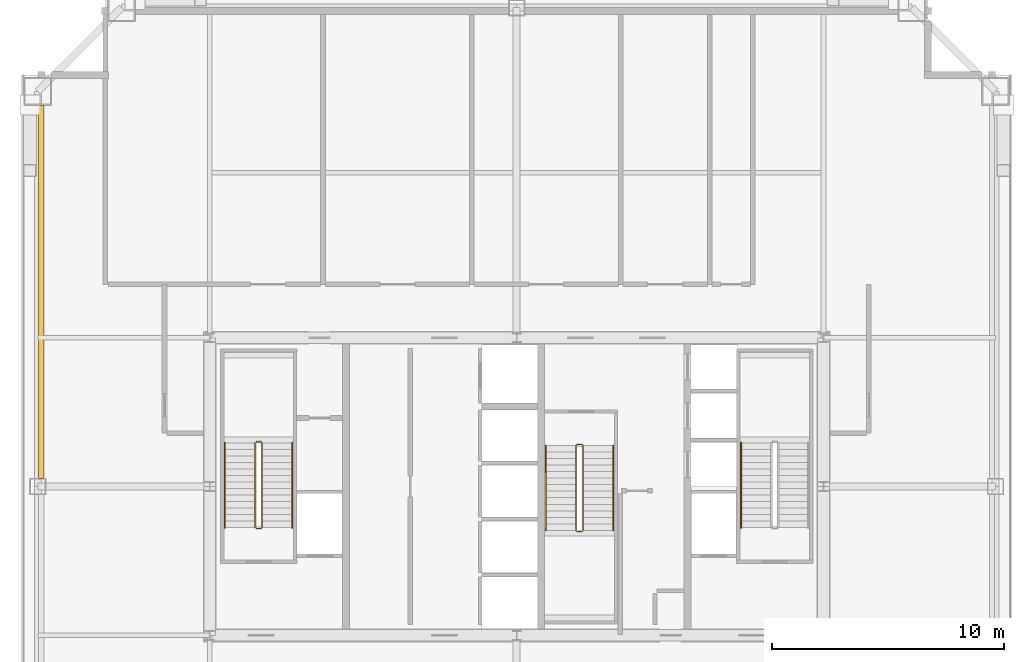
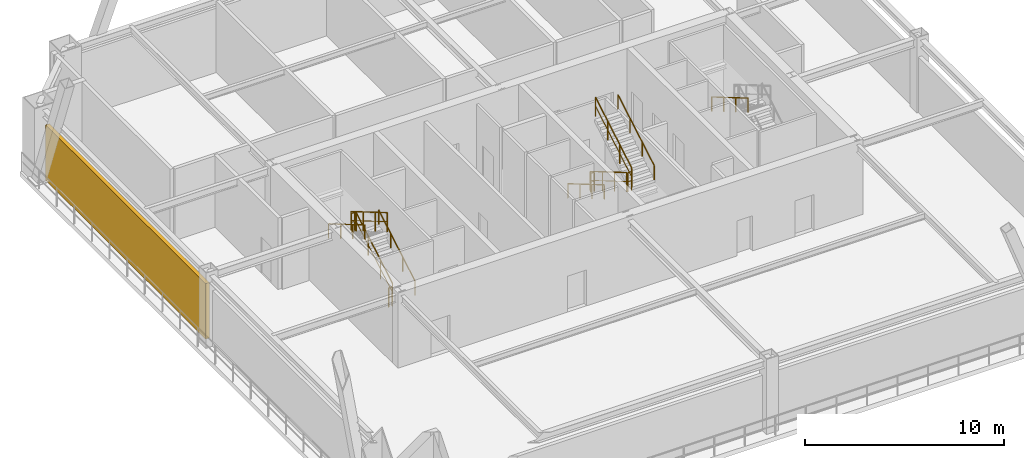
# One storey, part 7 of 8: 13 railings, 1 shading device.
"""IFC4 building model written with IfcOpenShell, lengths in metres."""

from ifc_helpers import new_model, si_unit, direction, frame, origin, origin_2d, place, context, subcontext, project, spatial, rectangle, extrude, source, transform, mapped, material, layer, layer_set, type_object, element, save


model = new_model("IFC4")

# Units and contexts
model_context = context("Model", 3, precision=1e-05, world=origin(), true_north=direction((0.0, 1.0)))
body_context = subcontext(model_context, "Body", "Model", "MODEL_VIEW")
ifc_project = project(units=[si_unit("LENGTHUNIT", "METRE"), si_unit("AREAUNIT", "SQUARE_METRE"), si_unit("VOLUMEUNIT", "CUBIC_METRE"), si_unit("PLANEANGLEUNIT", "RADIAN"), si_unit("MASSUNIT", "GRAM", prefix="KILO"), si_unit("THERMODYNAMICTEMPERATUREUNIT", "KELVIN"), si_unit("POWERUNIT", "WATT")], contexts=[model_context])

# Site, building, storey
site_placement = place(None, origin())
site = spatial("IfcSite", under=ifc_project, at=site_placement, CompositionType="ELEMENT")
building_placement = place(site_placement, origin())
building = spatial("IfcBuilding", under=site, at=building_placement, Name="Yuzanri Waterfront Tower", CompositionType="ELEMENT")
storey_placement = place(building_placement, frame((0.0, 0.0, 263.5)))
storey = spatial("IfcBuildingStorey", under=building, at=storey_placement, Name="L70", CompositionType="ELEMENT", Elevation=263.5)

# Shading device
ifc_material_1 = material(Name="Anodized Architectural Bronze", Category="metal")
ifc_layer_1 = layer(ifc_material_1, 0.219970703125)
ifc_layer_set_1 = layer_set([ifc_layer_1], Name="Anodized Architectural Bronze")
shading_device_type = type_object("IfcShadingDeviceType", Name="Anodized Bronze Refuge Wind-Diffusing Louvre Screen 220", PredefinedType="USERDEFINED", material=ifc_layer_set_1)
shared_shape_1 = source(origin(), body_context, "Body", "SweptSolid", [
    extrude(rectangle(XDim=0.219970703125, YDim=16.050048828125, at=origin_2d()), origin(), (0.0, 0.0, 1.0), 3.39990234375),
])
shading_device_placement = place(storey_placement, frame((16.550048828125, 34.175048828125, 0.0), z_axis=(0.0, 0.0, 1.0), x_axis=(1.0, 0.0, 0.0)))
element("IfcShadingDevice", 1, at=shading_device_placement, inside=storey, type_object=shading_device_type, Name="L70 Wind-Diffusing Refuge Louvre WR", ObjectType="LOUVRE", PredefinedType="USERDEFINED", context=body_context, shape_type="MappedRepresentation", body=[
    mapped(shared_shape_1, transform((0.0, 0.0, 0.0), scale=1.0)),
])

# Railings
ifc_material_2 = material(Name="Painted Galvanized Fire Steel", Category="steel")
ifc_layer_2 = layer(ifc_material_2, 0.06005859375)
ifc_layer_set_2 = layer_set([ifc_layer_2], Name="Painted Galvanized Fire Steel")
railing_type_1 = type_object("IfcRailingType", Name="Painted Steel Stairwell Guardrail 1120", PredefinedType="GUARDRAIL", material=ifc_layer_set_2)
shared_shape_2 = source(origin(), body_context, "Body", "SweptSolid", [
    extrude(rectangle(XDim=0.050048828125, YDim=0.050048828125, at=origin_2d()), frame((0.0, 0.0, 1.1748046875), z_axis=(-1.0, 0.0, 0.0), x_axis=(0.0, -1.0, 0.0)), (0.0, 0.0, 1.0), 0.199951171875),
    extrude(rectangle(XDim=0.035888671875, YDim=0.030029296875, at=origin_2d()), frame((0.0, 0.0, 0.6240234375), z_axis=(-1.0, 0.0, 0.0), x_axis=(0.0, -1.0, 0.0)), (0.0, 0.0, 1.0), 0.199951171875),
    extrude(rectangle(XDim=0.0458984375, YDim=0.0458984375, at=origin_2d()), origin(), (0.0, 0.0, 1.0), 1.14990234375),
    extrude(rectangle(XDim=0.0458984375, YDim=0.0458984375, at=origin_2d()), frame((-0.199951171875, 0.0, 0.0)), (0.0, 0.0, 1.0), 1.14990234375),
])
for number, where, name in (
    (2, (26.0, 27.72998046875, 2.300048828125), "L70 ST-01 stair guard 2"),
    (3, (26.0, 23.989990234375, 0.0), "L70 ST-01 stair guard 4"),
):
    element("IfcRailing", number, at=place(storey_placement, frame(where)), inside=storey, type_object=railing_type_1, Name=name, PredefinedType="GUARDRAIL", context=body_context, shape_type="MappedRepresentation", body=[
        mapped(shared_shape_2, transform((0.0, 0.0, 0.0), scale=1.0)),
    ])
shared_shape_3 = source(origin(), body_context, "Body", "SweptSolid", [
    extrude(rectangle(XDim=0.050048828125, YDim=0.050048828125, at=origin_2d()), frame((0.0, 0.0, 1.1748046875), z_axis=(0.0, 0.862489892076, 0.506074289079), x_axis=(-1.0, 0.0, 0.0)), (0.0, 0.0, 1.0), 4.22021484375),
    extrude(rectangle(XDim=0.035888671875, YDim=0.030029296875, at=origin_2d()), frame((0.0, 0.0, 0.6240234375), z_axis=(0.0, 0.862489892076, 0.506074289079), x_axis=(-1.0, 0.0, 0.0)), (0.0, 0.0, 1.0), 4.22021484375),
    extrude(rectangle(XDim=0.0458984375, YDim=0.0458984375, at=origin_2d()), origin(), (0.0, 0.0, 1.0), 1.14990234375),
    extrude(rectangle(XDim=0.0458984375, YDim=0.0458984375, at=origin_2d()), frame((0.0, 1.21337890625, 0.7119140625)), (0.0, 0.0, 1.0), 1.14990234375),
    extrude(rectangle(XDim=0.0458984375, YDim=0.0458984375, at=origin_2d()), frame((0.0, 2.426513671875, 1.423828125)), (0.0, 0.0, 1.0), 1.14990234375),
    extrude(rectangle(XDim=0.0458984375, YDim=0.0458984375, at=origin_2d()), frame((0.0, 3.639892578125, 2.1357421875)), (0.0, 0.0, 1.0), 1.14990234375),
])
railing_1_placement = place(storey_placement, frame((26.050048828125, 24.0400390625, 0.164306640625)))
element("IfcRailing", 4, at=railing_1_placement, inside=storey, type_object=railing_type_1, Name="L70 ST-01 stair guard 1", PredefinedType="GUARDRAIL", context=body_context, shape_type="MappedRepresentation", body=[
    mapped(shared_shape_3, transform((0.0, 0.0, 0.0), scale=1.0)),
])
shared_shape_4 = source(origin(), body_context, "Body", "SweptSolid", [
    extrude(rectangle(XDim=0.050048828125, YDim=0.050048828125, at=origin_2d()), frame((0.0, 0.0, 1.1748046875), z_axis=(0.0, -0.862489892076, 0.506074289079), x_axis=(1.0, 0.0, 0.0)), (0.0, 0.0, 1.0), 4.22021484375),
    extrude(rectangle(XDim=0.035888671875, YDim=0.030029296875, at=origin_2d()), frame((0.0, 0.0, 0.6240234375), z_axis=(0.0, -0.862489892076, 0.506074289079), x_axis=(1.0, 0.0, 0.0)), (0.0, 0.0, 1.0), 4.22021484375),
    extrude(rectangle(XDim=0.0458984375, YDim=0.0458984375, at=origin_2d()), origin(), (0.0, 0.0, 1.0), 1.14990234375),
    extrude(rectangle(XDim=0.0458984375, YDim=0.0458984375, at=origin_2d()), frame((0.0, -1.21337890625, 0.7119140625)), (0.0, 0.0, 1.0), 1.14990234375),
    extrude(rectangle(XDim=0.0458984375, YDim=0.0458984375, at=origin_2d()), frame((0.0, -2.426513671875, 1.423828125)), (0.0, 0.0, 1.0), 1.14990234375),
    extrude(rectangle(XDim=0.0458984375, YDim=0.0458984375, at=origin_2d()), frame((0.0, -3.639892578125, 2.1357421875)), (0.0, 0.0, 1.0), 1.14990234375),
])
railing_2_placement = place(storey_placement, frame((25.75, 27.679931640625, 2.46435546875)))
element("IfcRailing", 5, at=railing_2_placement, inside=storey, type_object=railing_type_1, Name="L70 ST-01 stair guard 3", PredefinedType="GUARDRAIL", context=body_context, shape_type="MappedRepresentation", body=[
    mapped(shared_shape_4, transform((0.0, 0.0, 0.0), scale=1.0)),
])
ifc_material_3 = material(Name="Anodized Architectural Bronze", Category="metal")
ifc_layer_3 = layer(ifc_material_3, 0.050048828125)
ifc_layer_set_3 = layer_set([ifc_layer_3], Name="Anodized Architectural Bronze")
railing_type_2 = type_object("IfcRailingType", Name="Brushed Bronze Stair Pitch Handrail 920", PredefinedType="HANDRAIL", material=ifc_layer_set_3)
shared_shape_5 = source(origin(), body_context, "Body", "SweptSolid", [
    extrude(rectangle(XDim=0.050048828125, YDim=0.050048828125, at=origin_2d()), frame((0.0, 0.0, 0.875), z_axis=(0.0, 0.862489892076, 0.506074289079), x_axis=(-1.0, 0.0, 0.0)), (0.0, 0.0, 1.0), 4.22021484375),
    extrude(rectangle(XDim=0.0458984375, YDim=0.0458984375, at=origin_2d()), origin(), (0.0, 0.0, 1.0), 0.849853515625),
    extrude(rectangle(XDim=0.0458984375, YDim=0.0458984375, at=origin_2d()), frame((0.0, 1.21337890625, 0.7119140625)), (0.0, 0.0, 1.0), 0.849853515625),
    extrude(rectangle(XDim=0.0458984375, YDim=0.0458984375, at=origin_2d()), frame((0.0, 2.426513671875, 1.423828125)), (0.0, 0.0, 1.0), 0.849853515625),
    extrude(rectangle(XDim=0.0458984375, YDim=0.0458984375, at=origin_2d()), frame((0.0, 3.639892578125, 2.1357421875)), (0.0, 0.0, 1.0), 0.849853515625),
])
railing_3_placement = place(storey_placement, frame((27.35009765625, 24.0400390625, 0.164306640625)))
element("IfcRailing", 6, at=railing_3_placement, inside=storey, type_object=railing_type_2, Name="L70 ST-01 stair handrail 1", PredefinedType="HANDRAIL", context=body_context, shape_type="MappedRepresentation", body=[
    mapped(shared_shape_5, transform((0.0, 0.0, 0.0), scale=1.0)),
])
shared_shape_6 = source(origin(), body_context, "Body", "SweptSolid", [
    extrude(rectangle(XDim=0.050048828125, YDim=0.050048828125, at=origin_2d()), frame((0.0, 0.0, 0.875), z_axis=(0.0, -0.862489892076, 0.506074289079), x_axis=(1.0, 0.0, 0.0)), (0.0, 0.0, 1.0), 4.22021484375),
    extrude(rectangle(XDim=0.0458984375, YDim=0.0458984375, at=origin_2d()), origin(), (0.0, 0.0, 1.0), 0.849853515625),
    extrude(rectangle(XDim=0.0458984375, YDim=0.0458984375, at=origin_2d()), frame((0.0, -1.21337890625, 0.7119140625)), (0.0, 0.0, 1.0), 0.849853515625),
    extrude(rectangle(XDim=0.0458984375, YDim=0.0458984375, at=origin_2d()), frame((0.0, -2.426513671875, 1.423828125)), (0.0, 0.0, 1.0), 0.849853515625),
    extrude(rectangle(XDim=0.0458984375, YDim=0.0458984375, at=origin_2d()), frame((0.0, -3.639892578125, 2.1357421875)), (0.0, 0.0, 1.0), 0.849853515625),
])
for number, where, name in (
    (7, (24.449951171875, 27.679931640625, 2.46435546875), "L70 ST-01 stair handrail 2"),
    (8, (46.64990234375, 27.679931640625, 2.46435546875), "L70 ST-02 stair handrail 2"),
):
    element("IfcRailing", number, at=place(storey_placement, frame(where)), inside=storey, type_object=railing_type_2, Name=name, PredefinedType="HANDRAIL", context=body_context, shape_type="MappedRepresentation", body=[
        mapped(shared_shape_6, transform((0.0, 0.0, 0.0), scale=1.0)),
    ])
shared_shape_7 = source(origin(), body_context, "Body", "SweptSolid", [
    extrude(rectangle(XDim=0.050048828125, YDim=0.050048828125, at=origin_2d()), frame((0.0, 0.0, 1.1748046875), z_axis=(1.0, 0.0, 0.0), x_axis=(0.0, 1.0, 0.0)), (0.0, 0.0, 1.0), 0.199951171875),
    extrude(rectangle(XDim=0.035888671875, YDim=0.030029296875, at=origin_2d()), frame((0.0, 0.0, 0.6240234375), z_axis=(1.0, 0.0, 0.0), x_axis=(0.0, 1.0, 0.0)), (0.0, 0.0, 1.0), 0.199951171875),
    extrude(rectangle(XDim=0.0458984375, YDim=0.0458984375, at=origin_2d()), origin(), (0.0, 0.0, 1.0), 1.14990234375),
    extrude(rectangle(XDim=0.0458984375, YDim=0.0458984375, at=origin_2d()), frame((0.199951171875, 0.0, 0.0)), (0.0, 0.0, 1.0), 1.14990234375),
])
for number, where, name in (
    (9, (39.60009765625, 23.8701171875, 2.300048828125), "L70 ST-03 stair guard 2"),
    (10, (39.60009765625, 27.610107421875, 0.0), "L70 ST-03 stair guard 4"),
):
    element("IfcRailing", number, at=place(storey_placement, frame(where)), inside=storey, type_object=railing_type_1, Name=name, PredefinedType="GUARDRAIL", context=body_context, shape_type="MappedRepresentation", body=[
        mapped(shared_shape_7, transform((0.0, 0.0, 0.0), scale=1.0)),
    ])
shared_shape_8 = source(origin(), body_context, "Body", "SweptSolid", [
    extrude(rectangle(XDim=0.050048828125, YDim=0.050048828125, at=origin_2d()), frame((0.0, 0.0, 1.1748046875), z_axis=(0.0, -0.862504707072, 0.506049039401), x_axis=(1.0, 0.0, 0.0)), (0.0, 0.0, 1.0), 4.220458984375),
    extrude(rectangle(XDim=0.035888671875, YDim=0.030029296875, at=origin_2d()), frame((0.0, 0.0, 0.6240234375), z_axis=(0.0, -0.862504707072, 0.506049039401), x_axis=(1.0, 0.0, 0.0)), (0.0, 0.0, 1.0), 4.220458984375),
    extrude(rectangle(XDim=0.0458984375, YDim=0.0458984375, at=origin_2d()), origin(), (0.0, 0.0, 1.0), 1.14990234375),
    extrude(rectangle(XDim=0.0458984375, YDim=0.0458984375, at=origin_2d()), frame((0.0, -1.21337890625, 0.7119140625)), (0.0, 0.0, 1.0), 1.14990234375),
    extrude(rectangle(XDim=0.0458984375, YDim=0.0458984375, at=origin_2d()), frame((0.0, -2.4267578125, 1.423828125)), (0.0, 0.0, 1.0), 1.14990234375),
    extrude(rectangle(XDim=0.0458984375, YDim=0.0458984375, at=origin_2d()), frame((0.0, -3.64013671875, 2.1357421875)), (0.0, 0.0, 1.0), 1.14990234375),
])
railing_4_placement = place(storey_placement, frame((39.550048828125, 27.56005859375, 0.164306640625)))
element("IfcRailing", 11, at=railing_4_placement, inside=storey, type_object=railing_type_1, Name="L70 ST-03 stair guard 1", PredefinedType="GUARDRAIL", context=body_context, shape_type="MappedRepresentation", body=[
    mapped(shared_shape_8, transform((0.0, 0.0, 0.0), scale=1.0)),
])
shared_shape_9 = source(origin(), body_context, "Body", "SweptSolid", [
    extrude(rectangle(XDim=0.050048828125, YDim=0.050048828125, at=origin_2d()), frame((0.0, 0.0, 1.1748046875), z_axis=(0.0, 0.862504707072, 0.506049039401), x_axis=(-1.0, 0.0, 0.0)), (0.0, 0.0, 1.0), 4.220458984375),
    extrude(rectangle(XDim=0.035888671875, YDim=0.030029296875, at=origin_2d()), frame((0.0, 0.0, 0.6240234375), z_axis=(0.0, 0.862504707072, 0.506049039401), x_axis=(-1.0, 0.0, 0.0)), (0.0, 0.0, 1.0), 4.220458984375),
    extrude(rectangle(XDim=0.0458984375, YDim=0.0458984375, at=origin_2d()), origin(), (0.0, 0.0, 1.0), 1.14990234375),
    extrude(rectangle(XDim=0.0458984375, YDim=0.0458984375, at=origin_2d()), frame((0.0, 1.21337890625, 0.7119140625)), (0.0, 0.0, 1.0), 1.14990234375),
    extrude(rectangle(XDim=0.0458984375, YDim=0.0458984375, at=origin_2d()), frame((0.0, 2.4267578125, 1.423828125)), (0.0, 0.0, 1.0), 1.14990234375),
    extrude(rectangle(XDim=0.0458984375, YDim=0.0458984375, at=origin_2d()), frame((0.0, 3.64013671875, 2.1357421875)), (0.0, 0.0, 1.0), 1.14990234375),
])
railing_5_placement = place(storey_placement, frame((39.85009765625, 23.919921875, 2.46435546875)))
element("IfcRailing", 12, at=railing_5_placement, inside=storey, type_object=railing_type_1, Name="L70 ST-03 stair guard 3", PredefinedType="GUARDRAIL", context=body_context, shape_type="MappedRepresentation", body=[
    mapped(shared_shape_9, transform((0.0, 0.0, 0.0), scale=1.0)),
])
shared_shape_10 = source(origin(), body_context, "Body", "SweptSolid", [
    extrude(rectangle(XDim=0.050048828125, YDim=0.050048828125, at=origin_2d()), frame((0.0, 0.0, 0.875), z_axis=(0.0, -0.862504707072, 0.506049039401), x_axis=(1.0, 0.0, 0.0)), (0.0, 0.0, 1.0), 4.220458984375),
    extrude(rectangle(XDim=0.0458984375, YDim=0.0458984375, at=origin_2d()), origin(), (0.0, 0.0, 1.0), 0.849853515625),
    extrude(rectangle(XDim=0.0458984375, YDim=0.0458984375, at=origin_2d()), frame((0.0, -1.21337890625, 0.7119140625)), (0.0, 0.0, 1.0), 0.849853515625),
    extrude(rectangle(XDim=0.0458984375, YDim=0.0458984375, at=origin_2d()), frame((0.0, -2.4267578125, 1.423828125)), (0.0, 0.0, 1.0), 0.849853515625),
    extrude(rectangle(XDim=0.0458984375, YDim=0.0458984375, at=origin_2d()), frame((0.0, -3.64013671875, 2.1357421875)), (0.0, 0.0, 1.0), 0.849853515625),
])
railing_6_placement = place(storey_placement, frame((38.25, 27.56005859375, 0.164306640625)))
element("IfcRailing", 13, at=railing_6_placement, inside=storey, type_object=railing_type_2, Name="L70 ST-03 stair handrail 1", PredefinedType="HANDRAIL", context=body_context, shape_type="MappedRepresentation", body=[
    mapped(shared_shape_10, transform((0.0, 0.0, 0.0), scale=1.0)),
])
shared_shape_11 = source(origin(), body_context, "Body", "SweptSolid", [
    extrude(rectangle(XDim=0.050048828125, YDim=0.050048828125, at=origin_2d()), frame((0.0, 0.0, 0.875), z_axis=(0.0, 0.862504707072, 0.506049039401), x_axis=(-1.0, 0.0, 0.0)), (0.0, 0.0, 1.0), 4.220458984375),
    extrude(rectangle(XDim=0.0458984375, YDim=0.0458984375, at=origin_2d()), origin(), (0.0, 0.0, 1.0), 0.849853515625),
    extrude(rectangle(XDim=0.0458984375, YDim=0.0458984375, at=origin_2d()), frame((0.0, 1.21337890625, 0.7119140625)), (0.0, 0.0, 1.0), 0.849853515625),
    extrude(rectangle(XDim=0.0458984375, YDim=0.0458984375, at=origin_2d()), frame((0.0, 2.4267578125, 1.423828125)), (0.0, 0.0, 1.0), 0.849853515625),
    extrude(rectangle(XDim=0.0458984375, YDim=0.0458984375, at=origin_2d()), frame((0.0, 3.64013671875, 2.1357421875)), (0.0, 0.0, 1.0), 0.849853515625),
])
railing_7_placement = place(storey_placement, frame((41.14990234375, 23.919921875, 2.46435546875)))
element("IfcRailing", 14, at=railing_7_placement, inside=storey, type_object=railing_type_2, Name="L70 ST-03 stair handrail 2", PredefinedType="HANDRAIL", context=body_context, shape_type="MappedRepresentation", body=[
    mapped(shared_shape_11, transform((0.0, 0.0, 0.0), scale=1.0)),
])

save(model, "model.ifc")
